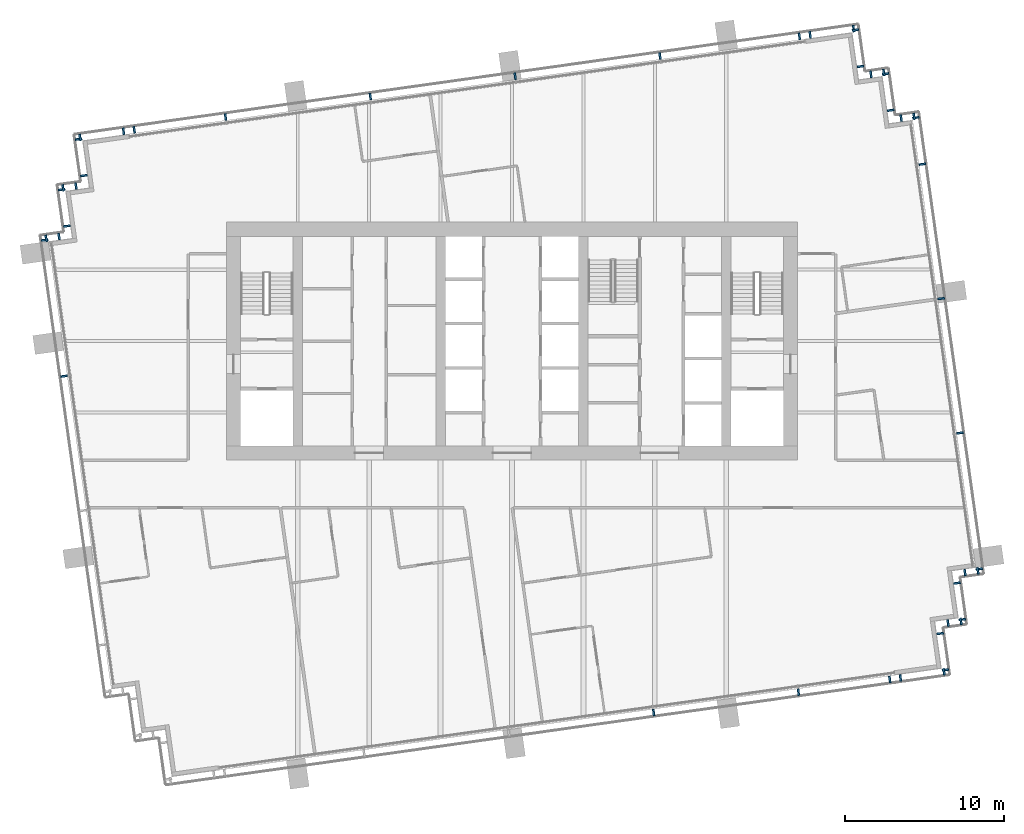
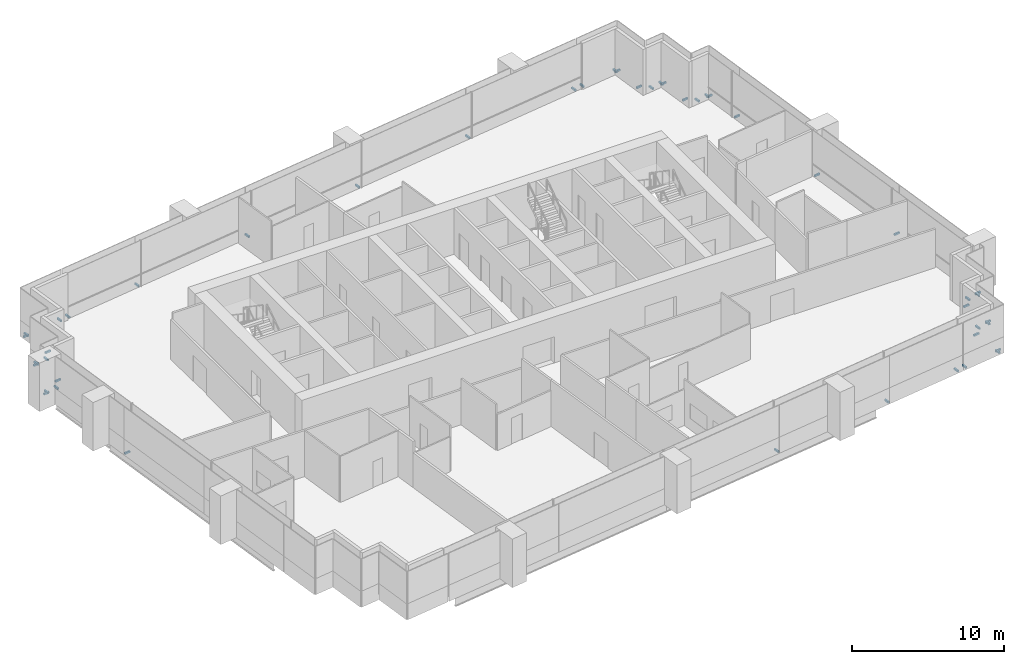
# One storey, part 13 of 18: 46 discrete accessories.
"""IFC4 building model written with IfcOpenShell, lengths in metres."""

from ifc_helpers import new_model, si_unit, direction, frame, origin, origin_2d, place, context, subcontext, project, spatial, rectangle, extrude, element, save


model = new_model("IFC4")

# Units and contexts
model_context = context("Model", 3, precision=1e-05, world=origin(), true_north=direction((0.0, 1.0)))
body_context = subcontext(model_context, "Body", "Model", "MODEL_VIEW")
ifc_project = project(units=[si_unit("LENGTHUNIT", "METRE"), si_unit("AREAUNIT", "SQUARE_METRE"), si_unit("VOLUMEUNIT", "CUBIC_METRE"), si_unit("PLANEANGLEUNIT", "RADIAN"), si_unit("MASSUNIT", "GRAM", prefix="KILO")], contexts=[model_context])

# Site, building, storey
site_placement = place(None, origin())
site = spatial("IfcSite", under=ifc_project, at=site_placement, CompositionType="ELEMENT")
building_placement = place(site_placement, origin())
building = spatial("IfcBuilding", under=site, at=building_placement, Name="Rattan Terrace Tower", CompositionType="ELEMENT")
storey_placement = place(building_placement, frame((0.0, 0.0, 176.300048828125)))
storey = spatial("IfcBuildingStorey", under=building, at=storey_placement, Name="L40", CompositionType="ELEMENT", Elevation=176.300048828125)

# Discrete accessories
for number, where, z_axis, x_axis, name in (
    (1, (24.474853515625, -21.2216796875, -0.169921875), (0.0, 0.0, 1.0), (0.990247240581, 0.139321220646, 0.0), "Panel bracket L40-1"),
    (2, (27.21826171875, -20.835693359375, -0.169921875), (0.0, 0.0, 1.0), (0.990247240581, 0.139321220646, 0.0), "Panel bracket L40-2"),
    (3, (27.30322265625, -20.72265625, -0.169921875), (0.0, 0.0, 1.0), (-0.139321220646, 0.990247240581, 0.0), "Panel bracket L40-3"),
    (4, (26.97998046875, -18.42529296875, -0.169921875), (0.0, 0.0, 1.0), (-0.139321220646, 0.990247240581, 0.0), "Panel bracket L40-4"),
    (5, (27.473876953125, -17.7705078125, -0.169921875), (0.0, 0.0, 1.0), (0.990345406709, 0.138621698915, 0.0), "Panel bracket L40-5"),
    (6, (28.286376953125, -17.65673828125, -0.169921875), (0.0, 0.0, 1.0), (0.990345406709, 0.138621698915, 0.0), "Panel bracket L40-6"),
    (7, (28.371337890625, -17.5439453125, -0.169921875), (0.0, 0.0, 1.0), (-0.139321220646, 0.990247240581, 0.0), "Panel bracket L40-7"),
    (8, (28.048095703125, -15.24609375, -0.169921875), (0.0, 0.0, 1.0), (-0.139321220646, 0.990247240581, 0.0), "Panel bracket L40-8"),
    (9, (28.54150390625, -14.5908203125, -0.169921875), (0.0, 0.0, 1.0), (0.99025370695, 0.139275252184, 0.0), "Panel bracket L40-9"),
    (10, (29.354248046875, -14.4765625, -0.169921875), (0.0, 0.0, 1.0), (0.99025370695, 0.139275252184, 0.0), "Panel bracket L40-10"),
    (11, (29.439208984375, -14.36376953125, -0.169921875), (0.0, 0.0, 1.0), (-0.139190856006, 0.99026557327, 0.0), "Panel bracket L40-11"),
    (12, (28.23388671875, -5.787841796875, -0.169921875), (0.0, 0.0, 1.0), (-0.139190856006, 0.99026557327, 0.0), "Panel bracket L40-12"),
    (13, (27.043701171875, 2.6787109375, -0.169921875), (0.0, 0.0, 1.0), (-0.139190856006, 0.99026557327, 0.0), "Panel bracket L40-13"),
    (14, (25.853759765625, 11.1455078125, -0.169921875), (0.0, 0.0, 1.0), (-0.139190856006, 0.99026557327, 0.0), "Panel bracket L40-14"),
    (15, (25.441650390625, 14.0771484375, -0.169921875), (0.0, 0.0, 1.0), (-0.139190856006, 0.99026557327, 0.0), "Panel bracket L40-15"),
    (16, (25.328857421875, 14.162353515625, -0.169921875), (0.0, 0.0, 1.0), (-0.990240767803, -0.139367219175, 0.0), "Panel bracket L40-16"),
    (17, (24.51708984375, 14.048095703125, -0.169921875), (0.0, 0.0, 1.0), (-0.990240767803, -0.139367219175, 0.0), "Panel bracket L40-17"),
    (18, (23.86181640625, 14.54150390625, -0.169921875), (0.0, 0.0, 1.0), (-0.139321220646, 0.990247240581, 0.0), "Panel bracket L40-18"),
    (19, (23.53857421875, 16.83935546875, -0.169921875), (0.0, 0.0, 1.0), (-0.139321220646, 0.990247240581, 0.0), "Panel bracket L40-19"),
    (20, (23.42578125, 16.92431640625, -0.169921875), (0.0, 0.0, 1.0), (-0.990240767803, -0.139367219175, 0.0), "Panel bracket L40-20"),
    (21, (22.614013671875, 16.81005859375, -0.169921875), (0.0, 0.0, 1.0), (-0.990240767803, -0.139367219175, 0.0), "Panel bracket L40-21"),
    (22, (21.958984375, 17.303466796875, -0.169921875), (0.0, 0.0, 1.0), (-0.139321220646, 0.990247240581, 0.0), "Panel bracket L40-22"),
    (23, (21.635498046875, 19.601318359375, -0.169921875), (0.0, 0.0, 1.0), (-0.139321220646, 0.990247240581, 0.0), "Panel bracket L40-23"),
    (24, (21.522705078125, 19.686279296875, -0.169921875), (0.0, 0.0, 1.0), (-0.990240767803, -0.139367219175, 0.0), "Panel bracket L40-24"),
    (25, (18.780517578125, 19.30029296875, -0.169921875), (0.0, 0.0, 1.0), (-0.990240767803, -0.139367219175, 0.0), "Panel bracket L40-25"),
    (26, (18.10693359375, 19.20556640625, -0.169921875), (0.0, 0.0, 1.0), (-0.990269702686, -0.139161474347, 0.0), "Panel bracket L40-26"),
    (27, (9.3203125, 17.970947265625, -0.169921875), (0.0, 0.0, 1.0), (-0.990269702686, -0.139161474347, 0.0), "Panel bracket L40-27"),
    (28, (0.197021484375, 16.688720703125, -0.169921875), (0.0, 0.0, 1.0), (-0.990269702686, -0.139161474347, 0.0), "Panel bracket L40-28"),
    (29, (-8.92626953125, 15.40673828125, -0.169921875), (0.0, 0.0, 1.0), (-0.990269702686, -0.139161474347, 0.0), "Panel bracket L40-29"),
    (30, (-18.0498046875, 14.12451171875, -0.169921875), (0.0, 0.0, 1.0), (-0.990269702686, -0.139161474347, 0.0), "Panel bracket L40-30"),
    (31, (-23.801513671875, 13.316162109375, -0.169921875), (0.0, 0.0, 1.0), (-0.990269702686, -0.139161474347, 0.0), "Panel bracket L40-31"),
    (32, (-24.474853515625, 13.2216796875, -0.169921875), (0.0, 0.0, 1.0), (-0.990247240581, -0.139321220646, 0.0), "Panel bracket L40-32"),
    (33, (-27.21826171875, 12.835693359375, -0.169921875), (0.0, 0.0, 1.0), (-0.990247240581, -0.139321220646, 0.0), "Panel bracket L40-33"),
    (34, (-27.30322265625, 12.72265625, -0.169921875), (0.0, 0.0, 1.0), (0.139321220646, -0.990247240581, 0.0), "Panel bracket L40-34"),
    (35, (-26.97998046875, 10.42529296875, -0.169921875), (0.0, 0.0, 1.0), (0.139321220646, -0.990247240581, 0.0), "Panel bracket L40-35"),
    (36, (-27.473876953125, 9.7705078125, -0.169921875), (0.0, 0.0, 1.0), (-0.990345406709, -0.138621698915, 0.0), "Panel bracket L40-36"),
    (37, (-28.286376953125, 9.65673828125, -0.169921875), (0.0, 0.0, 1.0), (-0.990345406709, -0.138621698915, 0.0), "Panel bracket L40-37"),
    (38, (-28.371337890625, 9.5439453125, -0.169921875), (0.0, 0.0, 1.0), (0.139321220646, -0.990247240581, 0.0), "Panel bracket L40-38"),
    (39, (-28.048095703125, 7.24609375, -0.169921875), (0.0, 0.0, 1.0), (0.139321220646, -0.990247240581, 0.0), "Panel bracket L40-39"),
    (40, (-28.54150390625, 6.5908203125, -0.169921875), (0.0, 0.0, 1.0), (-0.99025370695, -0.139275252184, 0.0), "Panel bracket L40-40"),
    (41, (-29.354248046875, 6.4765625, -0.169921875), (0.0, 0.0, 1.0), (-0.99025370695, -0.139275252184, 0.0), "Panel bracket L40-41"),
    (42, (-29.439208984375, 6.36376953125, -0.169921875), (0.0, 0.0, 1.0), (0.139190856006, -0.99026557327, 0.0), "Panel bracket L40-42"),
    (43, (-28.23388671875, -2.212158203125, -0.169921875), (0.0, 0.0, 1.0), (0.139190856006, -0.99026557327, 0.0), "Panel bracket L40-43"),
    (44, (8.92626953125, -23.40673828125, -0.169921875), (0.0, 0.0, 1.0), (0.990269702686, 0.139161474347, 0.0), "Panel bracket L40-60"),
    (45, (18.0498046875, -22.12451171875, -0.169921875), (0.0, 0.0, 1.0), (0.990269702686, 0.139161474347, 0.0), "Panel bracket L40-61"),
    (46, (23.801513671875, -21.316162109375, -0.169921875), (0.0, 0.0, 1.0), (0.990269702686, 0.139161474347, 0.0), "Panel bracket L40-62"),
):
    element("IfcDiscreteAccessory", number, at=place(storey_placement, frame(where, z_axis=z_axis, x_axis=x_axis)), inside=storey, Name=name, PredefinedType="BRACKET", context=body_context, shape_type="SweptSolid", body=[
        extrude(rectangle(XDim=0.1201171875, YDim=0.419921875, at=origin_2d()), origin(), (0.0, 0.0, 1.0), 0.139892578125),
    ])

save(model, "model.ifc")
